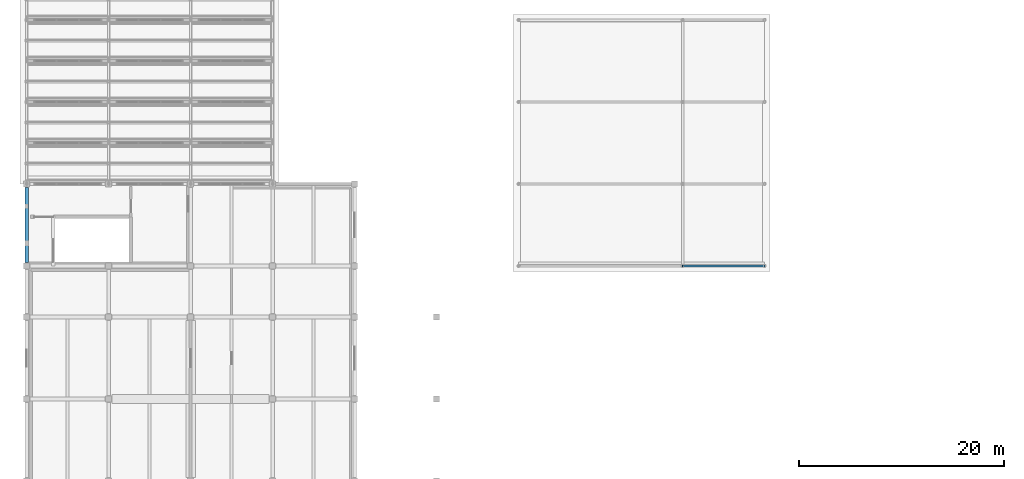
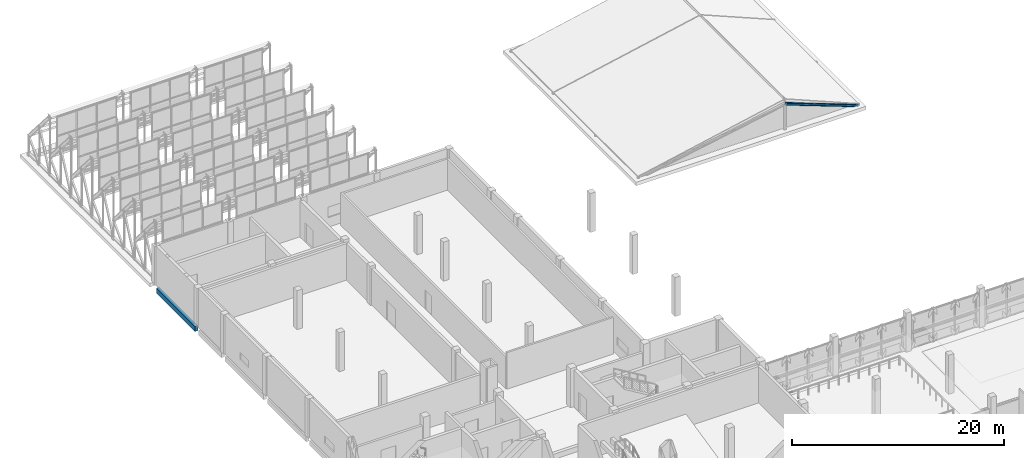
# One storey, part 20 of 43: 1 beam, 1 member.
"""IFC4 building model written with IfcOpenShell, lengths in metres."""

from ifc_helpers import new_model, si_unit, direction, frame, origin, origin_2d, place, context, subcontext, project, spatial, rectangle, i_section, extrude, material, material_profile, profile_set, type_object, element, save


model = new_model("IFC4")

# Units and contexts
model_context = context("Model", 3, precision=1e-05, world=origin(), true_north=direction((0.0, 1.0)))
body_context = subcontext(model_context, "Body", "Model", "MODEL_VIEW")
ifc_project = project(units=[si_unit("LENGTHUNIT", "METRE"), si_unit("AREAUNIT", "SQUARE_METRE"), si_unit("VOLUMEUNIT", "CUBIC_METRE"), si_unit("PLANEANGLEUNIT", "RADIAN"), si_unit("MASSUNIT", "GRAM", prefix="KILO")], contexts=[model_context])

# Site, building, storey
site_placement = place(None, origin())
site = spatial("IfcSite", under=ifc_project, at=site_placement, CompositionType="ELEMENT")
building_placement = place(site_placement, origin())
building = spatial("IfcBuilding", under=site, at=building_placement, Name="Qorikala Patio Media Centre", CompositionType="ELEMENT")
storey_placement = place(building_placement, frame((0.0, 0.0, 18.89990234375)))
storey = spatial("IfcBuildingStorey", under=building, at=storey_placement, Name="L04", CompositionType="ELEMENT", Elevation=18.89990234375)

# Member
ifc_material_1 = material(Name="Steel S355", Category="steel")
ifc_material_profile_1 = material_profile(ifc_material_1, i_section(OverallWidth=0.202880859375, OverallDepth=0.251953125, WebThickness=0.008056640625, FlangeThickness=0.013427734375, at=origin_2d()), Name="W250X58")
ifc_profile_set_1 = profile_set([ifc_material_profile_1], Name="Steel S355")
member_type = type_object("IfcMemberType", Name="RAFTER-W250X58", PredefinedType="RAFTER", material=ifc_profile_set_1)
member_placement = place(storey_placement, frame((67.0, 64.0, 3.150146484375), z_axis=(0.936329177569, 0.0, -0.351123441588), x_axis=(0.0, 1.0, 0.0)))
element("IfcMember", 1, at=member_placement, inside=storey, type_object=member_type, Name="RF-V5A E Steel Rafter Y=64", PredefinedType="RAFTER", context=body_context, shape_type="SweptSolid", body=[
    extrude(i_section(OverallWidth=0.202880859375, OverallDepth=0.251953125, WebThickness=0.008056640625, FlangeThickness=0.013427734375, at=origin_2d()), origin(), (0.0, 0.0, 1.0), 8.5439453125),
])

# Beam
ifc_material_2 = material(Name="Concrete C35/45", Category="concrete")
ifc_material_profile_2 = material_profile(ifc_material_2, rectangle(XDim=0.320068359375, YDim=0.580078125, at=origin_2d()), Name="RC 320x580")
ifc_profile_set_2 = profile_set([ifc_material_profile_2], Name="Concrete C35/45")
beam_type = type_object("IfcBeamType", Name="SP-320X580", PredefinedType="SPANDREL", material=ifc_profile_set_2)
beam_placement = place(storey_placement, frame((3.0, 64.35009765625, -0.58984375), z_axis=(0.0, 1.0, 0.0), x_axis=(-1.0, 0.0, 0.0)))
element("IfcBeam", 2, at=beam_placement, inside=storey, type_object=beam_type, Name="L04 Grid X=3 Beam 1393", PredefinedType="SPANDREL", context=body_context, shape_type="SweptSolid", body=[
    extrude(rectangle(XDim=0.320068359375, YDim=0.580078125, at=origin_2d()), origin(), (0.0, 0.0, 1.0), 7.2998046875),
])

save(model, "model.ifc")
